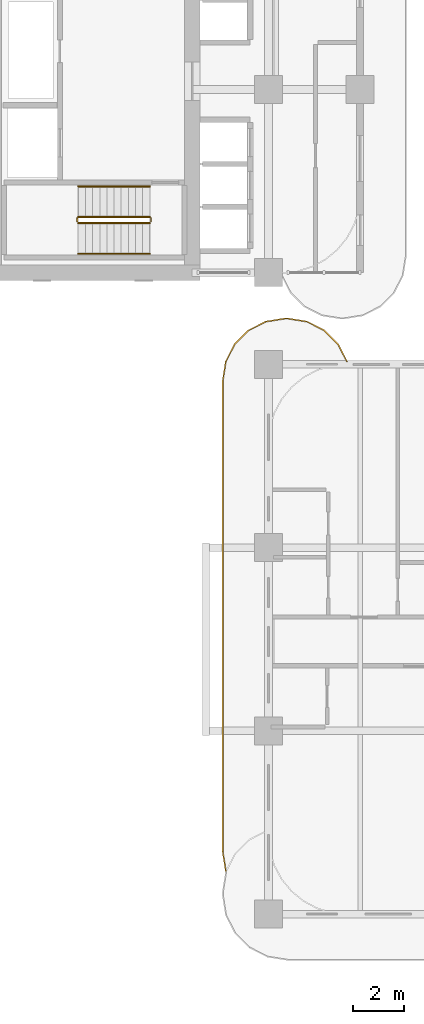
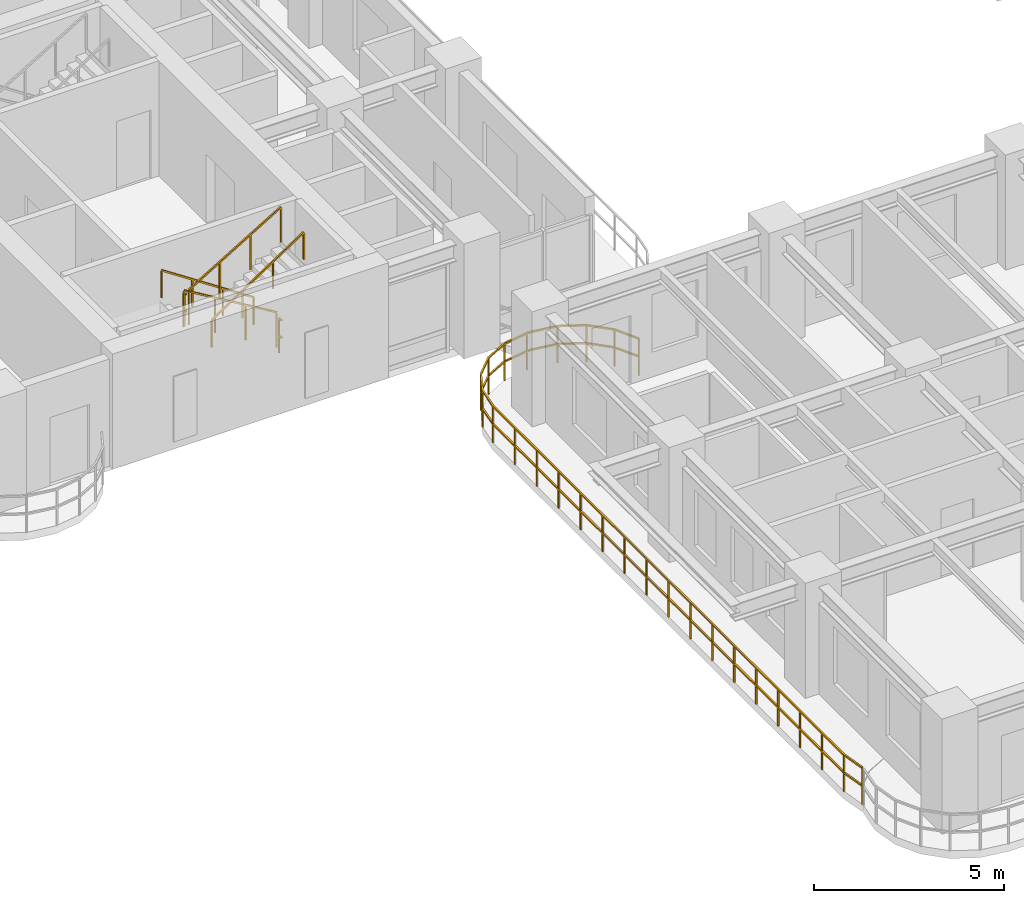
# One storey, part 13 of 19: 7 railings.
"""IFC4 building model written with IfcOpenShell, lengths in metres."""

import ifcopenshell
import ifcopenshell.guid

model = None  # the IFC model being written
_history = None  # IfcOwnerHistory: only IFC2X3 demands one
_inside = {}  # id of a spatial element -> (the spatial element, [elements in it])
_under = {}  # id of a project, library or spatial element -> (it, [spatial elements below it])
_declared = {}  # id of a project -> (the project, [libraries it declares])
_typed = {}  # id of a type object -> (the type object, [elements of that type])
_made_of = {}  # id of a material, layer set ... -> (it, [elements and type objects made of it])


def new_model(schema):
    """Start an empty IFC model of exactly this schema.

    Asked for "IFC4X3", IfcOpenShell would pick the latest addendum, in which some entities
    have other attributes; the version numbers below select the first issue.
    IFC2X3 requires an IfcOwnerHistory on every rooted entity: one is made here for all.
    """
    global model, _history
    if schema == "IFC4X3":
        model = ifcopenshell.file(schema_version=(4, 3, 0, 0))
    else:
        model = ifcopenshell.file(schema=schema)
    _inside.clear()
    _under.clear()
    _declared.clear()
    _typed.clear()
    _made_of.clear()
    _history = None
    if model.schema == "IFC2X3":
        org = make("IfcOrganization", Name="unknown")
        user = make(
            "IfcPersonAndOrganization",
            ThePerson=make("IfcPerson", FamilyName="unknown"),
            TheOrganization=org,
        )
        app = make(
            "IfcApplication",
            ApplicationDeveloper=org,
            Version="unknown",
            ApplicationFullName="unknown",
            ApplicationIdentifier="unknown",
        )
        _history = make(
            "IfcOwnerHistory",
            OwningUser=user,
            OwningApplication=app,
            ChangeAction="ADDED",
            CreationDate=0,
        )
    return model


def make(cls, **values):
    """One entity of the class cls with the attributes given. An attribute that is None is left unset."""
    return model.create_entity(
        cls, **{name: value for name, value in values.items() if value is not None}
    )


def rooted(cls, **values):
    """An entity with a GlobalId (a new one), such as an element, a storey or a relation."""
    return make(cls, GlobalId=ifcopenshell.guid.new(), OwnerHistory=_history, **values)


def si_unit(unit_type, name, prefix=None):
    """IfcSIUnit, for example si_unit("LENGTHUNIT", "METRE", prefix="MILLI")."""
    return make("IfcSIUnit", UnitType=unit_type, Prefix=prefix, Name=name)


def derived_unit(unit_type, elements):
    """IfcDerivedUnit: a product of units, each with its exponent."""
    return make(
        "IfcDerivedUnit",
        Elements=[
            make("IfcDerivedUnitElement", Unit=unit, Exponent=power)
            for unit, power in elements
        ],
        UnitType=unit_type,
    )


def assignment(units):
    """IfcUnitAssignment: the units of a project."""
    return None if units is None else make("IfcUnitAssignment", Units=units)


def point(xyz):
    """IfcCartesianPoint."""
    return None if xyz is None else make("IfcCartesianPoint", Coordinates=xyz)


def direction(xyz):
    """IfcDirection."""
    return None if xyz is None else make("IfcDirection", DirectionRatios=xyz)


def frame(location, z_axis=None, x_axis=None):
    """IfcAxis2Placement3D, a coordinate frame: its origin and axes. An axis left out is left unset."""
    return make(
        "IfcAxis2Placement3D",
        Location=point(location),
        Axis=direction(z_axis),
        RefDirection=direction(x_axis),
    )


def frame_2d(location, x_axis=None):
    """IfcAxis2Placement2D, a coordinate frame in the plane: its origin and x axis."""
    return make(
        "IfcAxis2Placement2D", Location=point(location), RefDirection=direction(x_axis)
    )


def origin():
    """The frame at (0, 0, 0) with its axes left unset."""
    return frame((0.0, 0.0, 0.0))


def origin_2d():
    """The frame at (0, 0) in the plane with its x axis left unset."""
    return frame_2d((0.0, 0.0))


def place(relative_to, where):
    """IfcLocalPlacement: puts the frame where relative to a parent placement (None: the world)."""
    return make(
        "IfcLocalPlacement", PlacementRelTo=relative_to, RelativePlacement=where
    )


def context(
    kind, dimensions, precision=None, world=None, true_north=None, identifier=None
):
    """IfcGeometricRepresentationContext, for example the 3D "Model" context."""
    return make(
        "IfcGeometricRepresentationContext",
        ContextIdentifier=identifier,
        ContextType=kind,
        CoordinateSpaceDimension=dimensions,
        Precision=precision,
        WorldCoordinateSystem=world,
        TrueNorth=true_north,
    )


def subcontext(parent, identifier, kind, view, scale=None):
    """IfcGeometricRepresentationSubContext, for example "Body" below "Model"."""
    return make(
        "IfcGeometricRepresentationSubContext",
        ContextIdentifier=identifier,
        ContextType=kind,
        ParentContext=parent,
        TargetScale=scale,
        TargetView=view,
    )


def project(units=None, contexts=None):
    """IfcProject with its units and contexts."""
    return rooted(
        "IfcProject",
        Name="project",
        RepresentationContexts=contexts,
        UnitsInContext=assignment(units),
    )


def spatial(cls, under=None, at=None, **own):
    """A site, building, storey or space (cls), placed at a placement, below another one or the project."""
    s = rooted(cls, ObjectPlacement=at, **own)
    if under is not None:
        _under.setdefault(under.id(), (under, []))[1].append(s)
    return s


def profile(cls, at=None, kind="AREA", **sizes):
    """A parametric profile (cls). Its sizes go by their IFC names, for example OverallWidth=200.0."""
    return make(cls, ProfileType=kind, Position=at, **sizes)


def rectangle(**sizes):
    """IfcRectangleProfileDef."""
    return profile("IfcRectangleProfileDef", **sizes)


def extrude(swept, where, along, depth):
    """IfcExtrudedAreaSolid: the profile swept, set in the frame where, extruded along a direction by depth."""
    return make(
        "IfcExtrudedAreaSolid",
        SweptArea=swept,
        Position=where,
        ExtrudedDirection=direction(along),
        Depth=depth,
    )


def shape(context_of_items, identifier, shape_type, items):
    """IfcShapeRepresentation: the items that make up one representation, for example the "Body"."""
    return make(
        "IfcShapeRepresentation",
        ContextOfItems=context_of_items,
        RepresentationIdentifier=identifier,
        RepresentationType=shape_type,
        Items=items,
    )


def material(Name=None, Category=None):
    """IfcMaterial."""
    return make("IfcMaterial", Name=Name, Category=Category)


def made_of(thing, what):
    """Note that an element or type object is made of a material, layer set ...; save() writes the relation."""
    if what is not None:
        _made_of.setdefault(what.id(), (what, []))[1].append(thing)
    return thing


def type_object(cls, material=None, **own):
    """A type object (cls), such as IfcWallType, which elements share."""
    return made_of(rooted(cls, **own), material)


def element(
    cls,
    number,
    at=None,
    inside=None,
    cuts=None,
    type_object=None,
    material=None,
    context=None,
    identifier="Body",
    shape_type=None,
    held_by="IfcProductDefinitionShape",
    body=None,
    shapes=None,
    **own,
):
    """One element of the class cls, such as IfcWall. Its Tag is "e" and its number.

    at: its placement. inside: the storey or other place that contains it. cuts: it is an
    opening in that element (IfcRelVoidsElement). A single representation is given by context,
    identifier, shape_type and body (its items); several are given by shapes. held_by: the class
    of the entity that holds the representations. save() writes the other relations.
    """
    e = rooted(cls, Tag="e%d" % number, ObjectPlacement=at, **own)
    if body is not None:
        shapes = [shape(context, identifier, shape_type, body)]
    if shapes is not None:
        e.Representation = make(held_by, Representations=shapes)
    if inside is not None:
        _inside.setdefault(inside.id(), (inside, []))[1].append(e)
    if cuts is not None:
        rooted(
            "IfcRelVoidsElement", RelatingBuildingElement=cuts, RelatedOpeningElement=e
        )
    if type_object is not None:
        _typed.setdefault(type_object.id(), (type_object, []))[1].append(e)
    return made_of(e, material)


def aggregate(whole, parts):
    """IfcRelAggregates: a whole, such as a stair, and the parts it consists of."""
    return rooted("IfcRelAggregates", RelatingObject=whole, RelatedObjects=parts)


def save(model, path):
    """Write the relations noted so far, then the file.

    IfcRelAggregates (storeys below a building ...), IfcRelContainedInSpatialStructure (elements
    in a storey), IfcRelDefinesByType, IfcRelAssociatesMaterial and IfcRelDeclares: one each for
    every whole, place, type object, material and project.
    """
    for whole, parts in _under.values():
        aggregate(whole, parts)
    for where, things in _inside.values():
        rooted(
            "IfcRelContainedInSpatialStructure",
            RelatedElements=things,
            RelatingStructure=where,
        )
    for kind, things in _typed.values():
        rooted("IfcRelDefinesByType", RelatedObjects=things, RelatingType=kind)
    for what, things in _made_of.values():
        rooted("IfcRelAssociatesMaterial", RelatedObjects=things, RelatingMaterial=what)
    for by, libraries in _declared.values():
        rooted("IfcRelDeclares", RelatingContext=by, RelatedDefinitions=libraries)
    model.write(path)


model = new_model("IFC4")

# Units and contexts
model_context = context("Model", 3, precision=1e-05, world=origin(), true_north=direction((0.0, 1.0)))
body_context = subcontext(model_context, "Body", "Model", "MODEL_VIEW")
ifc_project = project(units=[si_unit("LENGTHUNIT", "METRE"), si_unit("AREAUNIT", "SQUARE_METRE"), si_unit("VOLUMEUNIT", "CUBIC_METRE"), si_unit("PLANEANGLEUNIT", "RADIAN"), si_unit("MASSUNIT", "GRAM", prefix="KILO"), si_unit("THERMODYNAMICTEMPERATUREUNIT", "KELVIN"), si_unit("POWERUNIT", "WATT"), derived_unit("THERMALTRANSMITTANCEUNIT", [(si_unit("POWERUNIT", "WATT"), 1), (si_unit("AREAUNIT", "SQUARE_METRE"), -1), (si_unit("THERMODYNAMICTEMPERATUREUNIT", "KELVIN"), -1)])], contexts=[model_context])

# Site, building, storey
site_placement = place(None, origin())
site = spatial("IfcSite", under=ifc_project, at=site_placement, CompositionType="ELEMENT")
building_placement = place(site_placement, origin())
building = spatial("IfcBuilding", under=site, at=building_placement, Name="Zahravan Archway Hotel and Residences", CompositionType="ELEMENT")
storey_placement = place(building_placement, frame((0.0, 0.0, 43.5)))
storey = spatial("IfcBuildingStorey", under=building, at=storey_placement, Name="L09", CompositionType="ELEMENT", Elevation=43.5)

# Railings
ifc_material_1 = material(Name="Bronze & Laminated Glass Balustrade", Category="glass")
railing_type_1 = type_object("IfcRailingType", Name="RL-BAL-1200", PredefinedType="BALUSTRADE", material=ifc_material_1)
railing_1_placement = place(storey_placement, frame((12.719970703125, 1.69287109375, 0.0)))
element("IfcRailing", 1, at=railing_1_placement, inside=storey, type_object=railing_type_1, Name="L09 Balustrade RL-SLB-BAL-L09-WA-1", PredefinedType="BALUSTRADE", context=body_context, shape_type="SweptSolid", body=[
    extrude(rectangle(XDim=0.048095703125, YDim=0.048095703125, at=origin_2d()), frame((0.0, 0.0, 1.17578125), z_axis=(-0.156387811283, 0.987695728695, 0.0), x_axis=(-0.987695728695, -0.156387811283, 0.0)), (0.0, 0.0, 1.0), 0.7666015625),
    extrude(rectangle(XDim=0.048095703125, YDim=0.048095703125, at=origin_2d()), frame((0.0, 0.0, 0.60009765625), z_axis=(-0.156387811283, 0.987695728695, 0.0), x_axis=(-0.987695728695, -0.156387811283, 0.0)), (0.0, 0.0, 1.0), 0.7666015625),
    extrude(rectangle(XDim=0.048095703125, YDim=0.048095703125, at=origin_2d()), frame((-0.119873046875, 0.757080078125, 1.17578125), z_axis=(0.0, 1.0, 0.0), x_axis=(-1.0, 0.0, 0.0)), (0.0, 0.0, 1.0), 18.5),
    extrude(rectangle(XDim=0.048095703125, YDim=0.048095703125, at=origin_2d()), frame((-0.119873046875, 0.757080078125, 0.60009765625), z_axis=(0.0, 1.0, 0.0), x_axis=(-1.0, 0.0, 0.0)), (0.0, 0.0, 1.0), 18.5),
    extrude(rectangle(XDim=0.048095703125, YDim=0.048095703125, at=origin_2d()), frame((-0.119873046875, 19.257080078125, 1.17578125), z_axis=(0.156387811283, 0.987695728695, 0.0), x_axis=(-0.987695728695, 0.156387811283, 0.0)), (0.0, 0.0, 1.0), 0.7666015625),
    extrude(rectangle(XDim=0.048095703125, YDim=0.048095703125, at=origin_2d()), frame((-0.119873046875, 19.257080078125, 0.60009765625), z_axis=(0.156387811283, 0.987695728695, 0.0), x_axis=(-0.987695728695, 0.156387811283, 0.0)), (0.0, 0.0, 1.0), 0.7666015625),
    extrude(rectangle(XDim=0.048095703125, YDim=0.048095703125, at=origin_2d()), frame((0.0, 20.01416015625, 1.17578125), z_axis=(0.453825591531, 0.891090529897, 0.0), x_axis=(-0.891090529897, 0.453825591531, 0.0)), (0.0, 0.0, 1.0), 0.7666015625),
    extrude(rectangle(XDim=0.048095703125, YDim=0.048095703125, at=origin_2d()), frame((0.0, 20.01416015625, 0.60009765625), z_axis=(0.453825591531, 0.891090529897, 0.0), x_axis=(-0.891090529897, 0.453825591531, 0.0)), (0.0, 0.0, 1.0), 0.7666015625),
    extrude(rectangle(XDim=0.048095703125, YDim=0.048095703125, at=origin_2d()), frame((0.347900390625, 20.697265625, 1.17578125), z_axis=(0.707106781187, 0.707106781187, 0.0), x_axis=(-0.707106781187, 0.707106781187, 0.0)), (0.0, 0.0, 1.0), 0.7666015625),
    extrude(rectangle(XDim=0.048095703125, YDim=0.048095703125, at=origin_2d()), frame((0.347900390625, 20.697265625, 0.60009765625), z_axis=(0.707106781187, 0.707106781187, 0.0), x_axis=(-0.707106781187, 0.707106781187, 0.0)), (0.0, 0.0, 1.0), 0.7666015625),
    extrude(rectangle(XDim=0.048095703125, YDim=0.048095703125, at=origin_2d()), frame((0.889892578125, 21.2392578125, 1.17578125), z_axis=(0.891090529897, 0.453825591531, 0.0), x_axis=(-0.453825591531, 0.891090529897, 0.0)), (0.0, 0.0, 1.0), 0.7666015625),
    extrude(rectangle(XDim=0.048095703125, YDim=0.048095703125, at=origin_2d()), frame((0.889892578125, 21.2392578125, 0.60009765625), z_axis=(0.891090529897, 0.453825591531, 0.0), x_axis=(-0.453825591531, 0.891090529897, 0.0)), (0.0, 0.0, 1.0), 0.7666015625),
    extrude(rectangle(XDim=0.048095703125, YDim=0.048095703125, at=origin_2d()), frame((1.572998046875, 21.587158203125, 1.17578125), z_axis=(0.987695728695, 0.156387811283, 0.0), x_axis=(-0.156387811283, 0.987695728695, 0.0)), (0.0, 0.0, 1.0), 0.7666015625),
    extrude(rectangle(XDim=0.048095703125, YDim=0.048095703125, at=origin_2d()), frame((1.572998046875, 21.587158203125, 0.60009765625), z_axis=(0.987695728695, 0.156387811283, 0.0), x_axis=(-0.156387811283, 0.987695728695, 0.0)), (0.0, 0.0, 1.0), 0.7666015625),
    extrude(rectangle(XDim=0.048095703125, YDim=0.048095703125, at=origin_2d()), frame((2.330078125, 21.70703125, 1.17578125), z_axis=(1.0, 0.0, 0.0), x_axis=(0.0, 1.0, 0.0)), (0.0, 0.0, 1.0), 0.099853515625),
    extrude(rectangle(XDim=0.048095703125, YDim=0.048095703125, at=origin_2d()), frame((2.330078125, 21.70703125, 0.60009765625), z_axis=(1.0, 0.0, 0.0), x_axis=(0.0, 1.0, 0.0)), (0.0, 0.0, 1.0), 0.099853515625),
    extrude(rectangle(XDim=0.048095703125, YDim=0.048095703125, at=origin_2d()), frame((2.429931640625, 21.70703125, 1.17578125), z_axis=(0.987695728695, -0.156387811283, 0.0), x_axis=(0.156387811283, 0.987695728695, 0.0)), (0.0, 0.0, 1.0), 0.7666015625),
    extrude(rectangle(XDim=0.048095703125, YDim=0.048095703125, at=origin_2d()), frame((2.429931640625, 21.70703125, 0.60009765625), z_axis=(0.987695728695, -0.156387811283, 0.0), x_axis=(0.156387811283, 0.987695728695, 0.0)), (0.0, 0.0, 1.0), 0.7666015625),
    extrude(rectangle(XDim=0.048095703125, YDim=0.048095703125, at=origin_2d()), frame((3.18701171875, 21.587158203125, 1.17578125), z_axis=(0.891090529897, -0.453825591531, 0.0), x_axis=(0.453825591531, 0.891090529897, 0.0)), (0.0, 0.0, 1.0), 0.7666015625),
    extrude(rectangle(XDim=0.048095703125, YDim=0.048095703125, at=origin_2d()), frame((3.18701171875, 21.587158203125, 0.60009765625), z_axis=(0.891090529897, -0.453825591531, 0.0), x_axis=(0.453825591531, 0.891090529897, 0.0)), (0.0, 0.0, 1.0), 0.7666015625),
    extrude(rectangle(XDim=0.048095703125, YDim=0.048095703125, at=origin_2d()), frame((3.8701171875, 21.2392578125, 1.17578125), z_axis=(0.707106781187, -0.707106781187, 0.0), x_axis=(0.707106781187, 0.707106781187, 0.0)), (0.0, 0.0, 1.0), 0.7666015625),
    extrude(rectangle(XDim=0.048095703125, YDim=0.048095703125, at=origin_2d()), frame((3.8701171875, 21.2392578125, 0.60009765625), z_axis=(0.707106781187, -0.707106781187, 0.0), x_axis=(0.707106781187, 0.707106781187, 0.0)), (0.0, 0.0, 1.0), 0.7666015625),
    extrude(rectangle(XDim=0.048095703125, YDim=0.048095703125, at=origin_2d()), frame((4.412109375, 20.697265625, 1.17578125), z_axis=(0.453825591531, -0.891090529897, 0.0), x_axis=(0.891090529897, 0.453825591531, 0.0)), (0.0, 0.0, 1.0), 0.7666015625),
    extrude(rectangle(XDim=0.048095703125, YDim=0.048095703125, at=origin_2d()), frame((4.412109375, 20.697265625, 0.60009765625), z_axis=(0.453825591531, -0.891090529897, 0.0), x_axis=(0.891090529897, 0.453825591531, 0.0)), (0.0, 0.0, 1.0), 0.7666015625),
    extrude(rectangle(XDim=0.0419921875, YDim=0.0419921875, at=origin_2d()), origin(), (0.0, 0.0, 1.0), 1.15185546875),
    extrude(rectangle(XDim=0.0419921875, YDim=0.0419921875, at=origin_2d()), frame((-0.119873046875, 0.757080078125, 0.0)), (0.0, 0.0, 1.0), 1.15185546875),
    extrude(rectangle(XDim=0.0419921875, YDim=0.0419921875, at=origin_2d()), frame((-0.119873046875, 1.913330078125, 0.0)), (0.0, 0.0, 1.0), 1.15185546875),
    extrude(rectangle(XDim=0.0419921875, YDim=0.0419921875, at=origin_2d()), frame((-0.119873046875, 3.069580078125, 0.0)), (0.0, 0.0, 1.0), 1.15185546875),
    extrude(rectangle(XDim=0.0419921875, YDim=0.0419921875, at=origin_2d()), frame((-0.119873046875, 4.225830078125, 0.0)), (0.0, 0.0, 1.0), 1.15185546875),
    extrude(rectangle(XDim=0.0419921875, YDim=0.0419921875, at=origin_2d()), frame((-0.119873046875, 5.382080078125, 0.0)), (0.0, 0.0, 1.0), 1.15185546875),
    extrude(rectangle(XDim=0.0419921875, YDim=0.0419921875, at=origin_2d()), frame((-0.119873046875, 6.538330078125, 0.0)), (0.0, 0.0, 1.0), 1.15185546875),
    extrude(rectangle(XDim=0.0419921875, YDim=0.0419921875, at=origin_2d()), frame((-0.119873046875, 7.694580078125, 0.0)), (0.0, 0.0, 1.0), 1.15185546875),
    extrude(rectangle(XDim=0.0419921875, YDim=0.0419921875, at=origin_2d()), frame((-0.119873046875, 8.850830078125, 0.0)), (0.0, 0.0, 1.0), 1.15185546875),
    extrude(rectangle(XDim=0.0419921875, YDim=0.0419921875, at=origin_2d()), frame((-0.119873046875, 10.007080078125, 0.0)), (0.0, 0.0, 1.0), 1.15185546875),
    extrude(rectangle(XDim=0.0419921875, YDim=0.0419921875, at=origin_2d()), frame((-0.119873046875, 11.163330078125, 0.0)), (0.0, 0.0, 1.0), 1.15185546875),
    extrude(rectangle(XDim=0.0419921875, YDim=0.0419921875, at=origin_2d()), frame((-0.119873046875, 12.319580078125, 0.0)), (0.0, 0.0, 1.0), 1.15185546875),
    extrude(rectangle(XDim=0.0419921875, YDim=0.0419921875, at=origin_2d()), frame((-0.119873046875, 13.475830078125, 0.0)), (0.0, 0.0, 1.0), 1.15185546875),
    extrude(rectangle(XDim=0.0419921875, YDim=0.0419921875, at=origin_2d()), frame((-0.119873046875, 14.632080078125, 0.0)), (0.0, 0.0, 1.0), 1.15185546875),
    extrude(rectangle(XDim=0.0419921875, YDim=0.0419921875, at=origin_2d()), frame((-0.119873046875, 15.788330078125, 0.0)), (0.0, 0.0, 1.0), 1.15185546875),
    extrude(rectangle(XDim=0.0419921875, YDim=0.0419921875, at=origin_2d()), frame((-0.119873046875, 16.944580078125, 0.0)), (0.0, 0.0, 1.0), 1.15185546875),
    extrude(rectangle(XDim=0.0419921875, YDim=0.0419921875, at=origin_2d()), frame((-0.119873046875, 18.100830078125, 0.0)), (0.0, 0.0, 1.0), 1.15185546875),
    extrude(rectangle(XDim=0.0419921875, YDim=0.0419921875, at=origin_2d()), frame((-0.119873046875, 19.257080078125, 0.0)), (0.0, 0.0, 1.0), 1.15185546875),
    extrude(rectangle(XDim=0.0419921875, YDim=0.0419921875, at=origin_2d()), frame((0.0, 20.01416015625, 0.0)), (0.0, 0.0, 1.0), 1.15185546875),
    extrude(rectangle(XDim=0.0419921875, YDim=0.0419921875, at=origin_2d()), frame((0.347900390625, 20.697265625, 0.0)), (0.0, 0.0, 1.0), 1.15185546875),
    extrude(rectangle(XDim=0.0419921875, YDim=0.0419921875, at=origin_2d()), frame((0.889892578125, 21.2392578125, 0.0)), (0.0, 0.0, 1.0), 1.15185546875),
    extrude(rectangle(XDim=0.0419921875, YDim=0.0419921875, at=origin_2d()), frame((1.572998046875, 21.587158203125, 0.0)), (0.0, 0.0, 1.0), 1.15185546875),
    extrude(rectangle(XDim=0.0419921875, YDim=0.0419921875, at=origin_2d()), frame((2.330078125, 21.70703125, 0.0)), (0.0, 0.0, 1.0), 1.15185546875),
    extrude(rectangle(XDim=0.0419921875, YDim=0.0419921875, at=origin_2d()), frame((3.18701171875, 21.587158203125, 0.0)), (0.0, 0.0, 1.0), 1.15185546875),
    extrude(rectangle(XDim=0.0419921875, YDim=0.0419921875, at=origin_2d()), frame((3.8701171875, 21.2392578125, 0.0)), (0.0, 0.0, 1.0), 1.15185546875),
    extrude(rectangle(XDim=0.0419921875, YDim=0.0419921875, at=origin_2d()), frame((4.412109375, 20.697265625, 0.0)), (0.0, 0.0, 1.0), 1.15185546875),
    extrude(rectangle(XDim=0.0419921875, YDim=0.0419921875, at=origin_2d()), frame((4.760009765625, 20.01416015625, 0.0)), (0.0, 0.0, 1.0), 1.15185546875),
])
ifc_material_2 = material(Name="Painted Tubular Steel", Category="steel")
railing_type_2 = type_object("IfcRailingType", Name="RL-STG-1150", PredefinedType="GUARDRAIL", material=ifc_material_2)
railing_2_placement = place(storey_placement, frame((9.72998046875, 27.389892578125, 0.168212890625)))
element("IfcRailing", 2, at=railing_2_placement, inside=storey, type_object=railing_type_2, Name="L09 ST-B1 stair guard 1", PredefinedType="GUARDRAIL", context=body_context, shape_type="SweptSolid", body=[
    extrude(rectangle(XDim=0.048095703125, YDim=0.048095703125, at=origin_2d()), frame((0.0, 0.0, 1.1259765625), z_axis=(-0.857242210791, 0.0, 0.514913383045), x_axis=(0.0, -1.0, 0.0)), (0.0, 0.0, 1.0), 3.266357421875),
    extrude(rectangle(XDim=0.0419921875, YDim=0.0419921875, at=origin_2d()), origin(), (0.0, 0.0, 1.0), 1.101806640625),
    extrude(rectangle(XDim=0.0419921875, YDim=0.0419921875, at=origin_2d()), frame((-0.933349609375, 0.0, 0.560546875)), (0.0, 0.0, 1.0), 1.101806640625),
    extrude(rectangle(XDim=0.0419921875, YDim=0.0419921875, at=origin_2d()), frame((-1.86669921875, 0.0, 1.121337890625)), (0.0, 0.0, 1.0), 1.101806640625),
    extrude(rectangle(XDim=0.0419921875, YDim=0.0419921875, at=origin_2d()), frame((-2.800048828125, 0.0, 1.681884765625)), (0.0, 0.0, 1.0), 1.101806640625),
])
railing_3_placement = place(storey_placement, frame((6.8798828125, 27.340087890625, 1.85009765625)))
element("IfcRailing", 3, at=railing_3_placement, inside=storey, type_object=railing_type_2, Name="L09 ST-B1 stair guard 2", PredefinedType="GUARDRAIL", context=body_context, shape_type="SweptSolid", body=[
    extrude(rectangle(XDim=0.048095703125, YDim=0.048095703125, at=origin_2d()), frame((0.0, 0.0, 1.1259765625), z_axis=(0.0, -1.0, 0.0), x_axis=(1.0, 0.0, 0.0)), (0.0, 0.0, 1.0), 0.14013671875),
    extrude(rectangle(XDim=0.048095703125, YDim=0.048095703125, at=origin_2d()), frame((0.0, 0.0, 0.574951171875), z_axis=(0.0, -1.0, 0.0), x_axis=(1.0, 0.0, 0.0)), (0.0, 0.0, 1.0), 0.14013671875),
    extrude(rectangle(XDim=0.0419921875, YDim=0.0419921875, at=origin_2d()), origin(), (0.0, 0.0, 1.0), 1.101806640625),
])
railing_4_placement = place(storey_placement, frame((6.929931640625, 27.14990234375, 2.01806640625)))
element("IfcRailing", 4, at=railing_4_placement, inside=storey, type_object=railing_type_2, Name="L09 ST-B1 stair guard 3", PredefinedType="GUARDRAIL", context=body_context, shape_type="SweptSolid", body=[
    extrude(rectangle(XDim=0.048095703125, YDim=0.048095703125, at=origin_2d()), frame((0.0, 0.0, 1.1259765625), z_axis=(0.857242210791, 0.0, 0.514913383045), x_axis=(0.0, 1.0, 0.0)), (0.0, 0.0, 1.0), 3.266357421875),
    extrude(rectangle(XDim=0.0419921875, YDim=0.0419921875, at=origin_2d()), origin(), (0.0, 0.0, 1.0), 1.101806640625),
    extrude(rectangle(XDim=0.0419921875, YDim=0.0419921875, at=origin_2d()), frame((0.933349609375, 0.0, 0.560546875)), (0.0, 0.0, 1.0), 1.101806640625),
    extrude(rectangle(XDim=0.0419921875, YDim=0.0419921875, at=origin_2d()), frame((1.86669921875, 0.0, 1.121337890625)), (0.0, 0.0, 1.0), 1.101806640625),
    extrude(rectangle(XDim=0.0419921875, YDim=0.0419921875, at=origin_2d()), frame((2.800048828125, 0.0, 1.681884765625)), (0.0, 0.0, 1.0), 1.101806640625),
])
railing_5_placement = place(storey_placement, frame((9.780029296875, 27.340087890625, 0.0)))
element("IfcRailing", 5, at=railing_5_placement, inside=storey, type_object=railing_type_2, Name="L09 ST-B1 stair guard 4", PredefinedType="GUARDRAIL", context=body_context, shape_type="SweptSolid", body=[
    extrude(rectangle(XDim=0.048095703125, YDim=0.048095703125, at=origin_2d()), frame((0.0, 0.0, 1.1259765625), z_axis=(0.0, -1.0, 0.0), x_axis=(1.0, 0.0, 0.0)), (0.0, 0.0, 1.0), 0.14013671875),
    extrude(rectangle(XDim=0.048095703125, YDim=0.048095703125, at=origin_2d()), frame((0.0, 0.0, 0.574951171875), z_axis=(0.0, -1.0, 0.0), x_axis=(1.0, 0.0, 0.0)), (0.0, 0.0, 1.0), 0.14013671875),
    extrude(rectangle(XDim=0.0419921875, YDim=0.0419921875, at=origin_2d()), origin(), (0.0, 0.0, 1.0), 1.101806640625),
])
ifc_material_3 = material(Name="Brushed Stainless Steel", Category="steel")
railing_type_3 = type_object("IfcRailingType", Name="RL-STH-900", PredefinedType="HANDRAIL", material=ifc_material_3)
railing_6_placement = place(storey_placement, frame((9.72998046875, 28.590087890625, 0.168212890625)))
element("IfcRailing", 6, at=railing_6_placement, inside=storey, type_object=railing_type_3, Name="L09 ST-B1 stair handrail 1", PredefinedType="HANDRAIL", context=body_context, shape_type="SweptSolid", body=[
    extrude(rectangle(XDim=0.048095703125, YDim=0.048095703125, at=origin_2d()), frame((0.0, 0.0, 0.8759765625), z_axis=(-0.83435981716, 0.0, 0.551220187865), x_axis=(0.0, -1.0, 0.0)), (0.0, 0.0, 1.0), 3.35595703125),
    extrude(rectangle(XDim=0.0419921875, YDim=0.0419921875, at=origin_2d()), origin(), (0.0, 0.0, 1.0), 0.851806640625),
    extrude(rectangle(XDim=0.0419921875, YDim=0.0419921875, at=origin_2d()), frame((-0.933349609375, 0.0, 0.61669921875)), (0.0, 0.0, 1.0), 0.851806640625),
    extrude(rectangle(XDim=0.0419921875, YDim=0.0419921875, at=origin_2d()), frame((-1.86669921875, 0.0, 1.233154296875)), (0.0, 0.0, 1.0), 0.851806640625),
    extrude(rectangle(XDim=0.0419921875, YDim=0.0419921875, at=origin_2d()), frame((-2.800048828125, 0.0, 1.849853515625)), (0.0, 0.0, 1.0), 0.851806640625),
])
railing_7_placement = place(storey_placement, frame((6.929931640625, 25.949951171875, 2.01806640625)))
element("IfcRailing", 7, at=railing_7_placement, inside=storey, type_object=railing_type_3, Name="L09 ST-B1 stair handrail 2", PredefinedType="HANDRAIL", context=body_context, shape_type="SweptSolid", body=[
    extrude(rectangle(XDim=0.048095703125, YDim=0.048095703125, at=origin_2d()), frame((0.0, 0.0, 0.8759765625), z_axis=(0.834326358476, 0.0, 0.551270829586), x_axis=(0.0, 1.0, 0.0)), (0.0, 0.0, 1.0), 3.35595703125),
    extrude(rectangle(XDim=0.0419921875, YDim=0.0419921875, at=origin_2d()), origin(), (0.0, 0.0, 1.0), 0.851806640625),
    extrude(rectangle(XDim=0.0419921875, YDim=0.0419921875, at=origin_2d()), frame((0.933349609375, 0.0, 0.61669921875)), (0.0, 0.0, 1.0), 0.851806640625),
    extrude(rectangle(XDim=0.0419921875, YDim=0.0419921875, at=origin_2d()), frame((1.86669921875, 0.0, 1.2333984375)), (0.0, 0.0, 1.0), 0.851806640625),
    extrude(rectangle(XDim=0.0419921875, YDim=0.0419921875, at=origin_2d()), frame((2.800048828125, 0.0, 1.85009765625)), (0.0, 0.0, 1.0), 0.851806640625),
])

save(model, "model.ifc")
